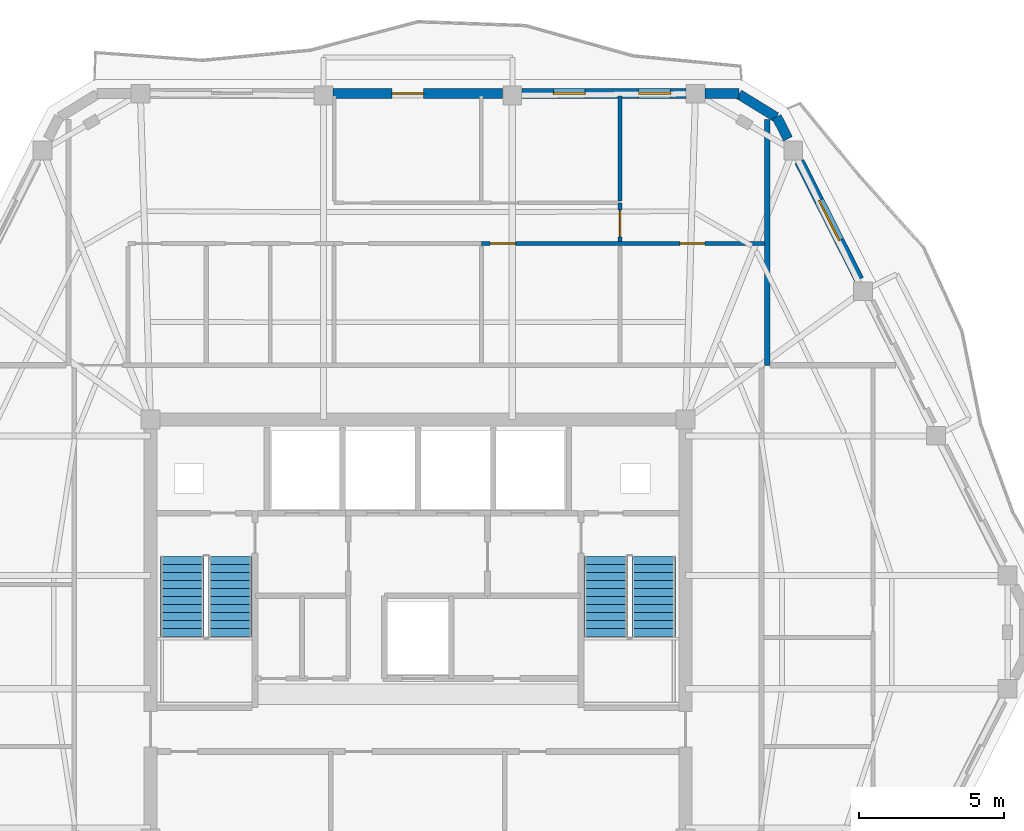
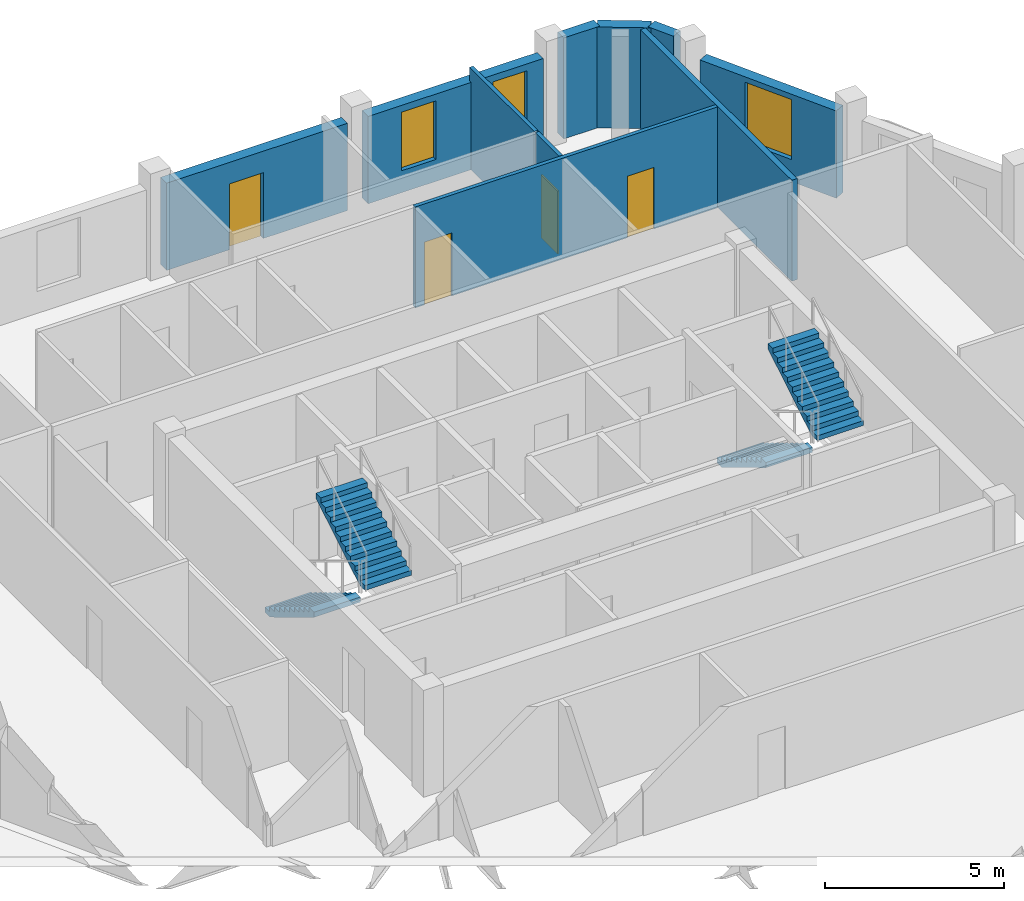
# One storey, part 7 of 10: 10 walls, 4 doors, 4 stair flights, 3 windows, 7 openings, 2 elements without a shape of their own.
"""IFC4 building model written with IfcOpenShell, lengths in metres."""

from ifc_helpers import new_model, si_unit, direction, frame, frame_2d, origin, place, context, subcontext, project, spatial, polyline, rectangle, outline, extrude, material, layer, layer_set, type_object, element, fill, aggregate, save


model = new_model("IFC4")

# Units and contexts
model_context = context("Model", 3, precision=1e-05, world=origin(), true_north=direction((0.0, 1.0)))
body_context = subcontext(model_context, "Body", "Model", "MODEL_VIEW")
ifc_project = project(units=[si_unit("LENGTHUNIT", "METRE"), si_unit("AREAUNIT", "SQUARE_METRE"), si_unit("VOLUMEUNIT", "CUBIC_METRE"), si_unit("PLANEANGLEUNIT", "RADIAN"), si_unit("MASSUNIT", "GRAM", prefix="KILO")], contexts=[model_context])

# Site, building, storey
site_placement = place(None, origin())
site = spatial("IfcSite", under=ifc_project, at=site_placement, CompositionType="ELEMENT")
building_placement = place(site_placement, origin())
building = spatial("IfcBuilding", under=site, at=building_placement, Name="Cinnabar Lancet Tower", CompositionType="ELEMENT")
storey_placement = place(building_placement, frame((0.0, 0.0, 263.5)))
storey = spatial("IfcBuildingStorey", under=building, at=storey_placement, Name="L70", CompositionType="ELEMENT", Elevation=263.5)

# Wall
ifc_material_1 = material(Name="Fire-rated twin-frame acoustic drywall", Category="gypsum")
ifc_layer_1 = layer(ifc_material_1, 0.179931640625)
ifc_layer_set_1 = layer_set([ifc_layer_1], Name="Fire-rated twin-frame acoustic drywall")
wall_type_1 = type_object("IfcWallType", Name="ARC-WL-PARTY-180", PredefinedType="PARTITIONING", material=ifc_layer_set_1)
wall_1_placement = place(storey_placement, frame((44.449951171875, 35.0, 0.0), z_axis=(0.0, 0.0, 1.0), x_axis=(0.0, 1.0, 0.0)))
element("IfcWall", 1, at=wall_1_placement, inside=storey, type_object=wall_type_1, Name="PW-L70-NPTY-444", PredefinedType="PARTITIONING", context=body_context, shape_type="SweptSolid", body=[
    extrude(rectangle(XDim=8.48095703125, YDim=0.179931640625, at=frame_2d((4.240478515625, 0.0))), origin(), (0.0, 0.0, 1.0), 3.449951171875),
])

# Wall, openings, doors
ifc_material_2 = material(Name="Gypsum plasterboard stud partition", Category="gypsum")
ifc_layer_2 = layer(ifc_material_2, 0.125)
ifc_layer_set_2 = layer_set([ifc_layer_2], Name="Gypsum plasterboard stud partition")
wall_type_2 = type_object("IfcWallType", Name="ARC-WL-UNIT-125", PredefinedType="PARTITIONING", material=ifc_layer_set_2)
wall_2_placement = place(storey_placement, frame((34.587890625, 39.200927734375, 0.0), z_axis=(0.0, 0.0, 1.0), x_axis=(1.0, 0.0, 0.0)))
wall_2 = element("IfcWall", 2, at=wall_2_placement, inside=storey, type_object=wall_type_2, Name="UW-L70-N01-SP2", PredefinedType="PARTITIONING", context=body_context, shape_type="SweptSolid", body=[
    extrude(rectangle(XDim=9.76708984375, YDim=0.125, at=frame_2d((4.883544921875, 0.0))), origin(), (0.0, 0.0, 1.0), 3.449951171875),
])
opening_1_placement = place(wall_2_placement, frame((6.84912109375, 0.0, 0.0)))
opening_1 = element("IfcOpeningElement", 3, at=opening_1_placement, cuts=wall_2, Name="Opening BD-01", PredefinedType="OPENING", context=body_context, shape_type="SweptSolid", body=[
    extrude(rectangle(XDim=0.860107421875, YDim=2.10009765625, at=frame_2d((0.43017578125, 1.050048828125))), frame((0.0, 0.072509765625, 0.0), z_axis=(0.0, -1.0, 0.0), x_axis=(1.0, 0.0, 0.0)), (0.0, 0.0, 1.0), 0.14501953125),
])
opening_2_placement = place(wall_2_placement, frame((0.300048828125, 0.0, 0.0)))
opening_2 = element("IfcOpeningElement", 4, at=opening_2_placement, cuts=wall_2, Name="Opening RD-02", PredefinedType="OPENING", context=body_context, shape_type="SweptSolid", body=[
    extrude(rectangle(XDim=0.8798828125, YDim=2.14990234375, at=frame_2d((0.43994140625, 1.074951171875))), frame((0.0, 0.072509765625, 0.0), z_axis=(0.0, -1.0, 0.0), x_axis=(1.0, 0.0, 0.0)), (0.0, 0.0, 1.0), 0.14501953125),
])
ifc_material_3 = material(Name="Moisture-resistant timber bathroom door", Category="wood")
door_type_1 = type_object("IfcDoorType", Name="ARC-DR-BATH", OperationType="NOTDEFINED", PredefinedType="DOOR", material=ifc_material_3)
door_1_placement = place(opening_1_placement, origin())
door_1 = element("IfcDoor", 5, at=door_1_placement, inside=storey, type_object=door_type_1, Name="DR-L70-N01-ENS", OperationType="SINGLE_SWING_LEFT", OverallHeight=2.10009765625, OverallWidth=0.860107421875, PredefinedType="DOOR", context=body_context, shape_type="SweptSolid", body=[
    extrude(rectangle(XDim=0.860107421875, YDim=2.10009765625, at=frame_2d((0.43017578125, 1.050048828125))), frame((0.0, 0.02490234375, 0.0), z_axis=(0.0, -1.0, 0.0), x_axis=(1.0, 0.0, 0.0)), (0.0, 0.0, 1.0), 0.050048828125),
])
fill(opening_1, door_1)
ifc_material_4 = material(Name="Engineered timber study door", Category="wood")
door_type_2 = type_object("IfcDoorType", Name="ARC-DR-STUDY", OperationType="NOTDEFINED", PredefinedType="DOOR", material=ifc_material_4)
door_2_placement = place(opening_2_placement, origin())
door_2 = element("IfcDoor", 6, at=door_2_placement, inside=storey, type_object=door_type_2, Name="DR-L70-N01-DRS", OperationType="SINGLE_SWING_RIGHT", OverallHeight=2.14990234375, OverallWidth=0.8798828125, PredefinedType="DOOR", context=body_context, shape_type="SweptSolid", body=[
    extrude(rectangle(XDim=0.8798828125, YDim=2.14990234375, at=frame_2d((0.43994140625, 1.074951171875))), frame((0.0, 0.02490234375, 0.0), z_axis=(0.0, -1.0, 0.0), x_axis=(1.0, 0.0, 0.0)), (0.0, 0.0, 1.0), 0.050048828125),
])
fill(opening_2, door_2)

# Wall, opening, door
wall_3_placement = place(storey_placement, frame((39.3701171875, 39.27099609375, 0.0), z_axis=(0.0, 0.0, 1.0), x_axis=(0.0, 1.0, 0.0)))
wall_3 = element("IfcWall", 7, at=wall_3_placement, inside=storey, type_object=wall_type_2, Name="UW-L70-N01-MBE", PredefinedType="PARTITIONING", context=body_context, shape_type="SweptSolid", body=[
    extrude(rectangle(XDim=1.330078125, YDim=0.125, at=frame_2d((0.6650390625, 0.0))), origin(), (0.0, 0.0, 1.0), 3.449951171875),
])
opening_3_placement = place(wall_3_placement, frame((0.159912109375, 0.0, 0.0)))
opening_3 = element("IfcOpeningElement", 8, at=opening_3_placement, cuts=wall_3, Name="Opening RD-01", PredefinedType="OPENING", context=body_context, shape_type="SweptSolid", body=[
    extrude(rectangle(XDim=0.919921875, YDim=2.14990234375, at=frame_2d((0.4599609375, 1.074951171875))), frame((0.0, 0.072509765625, 0.0), z_axis=(0.0, -1.0, 0.0), x_axis=(1.0, 0.0, 0.0)), (0.0, 0.0, 1.0), 0.14501953125),
])
ifc_material_5 = material(Name="Engineered timber bedroom door", Category="wood")
door_type_3 = type_object("IfcDoorType", Name="ARC-DR-ROOM", OperationType="NOTDEFINED", PredefinedType="DOOR", material=ifc_material_5)
door_3_placement = place(opening_3_placement, origin())
door_3 = element("IfcDoor", 9, at=door_3_placement, inside=storey, type_object=door_type_3, Name="DR-L70-N01-MBD", OperationType="SINGLE_SWING_LEFT", OverallHeight=2.14990234375, OverallWidth=0.919921875, PredefinedType="DOOR", context=body_context, shape_type="SweptSolid", body=[
    extrude(rectangle(XDim=0.919921875, YDim=2.14990234375, at=frame_2d((0.4599609375, 1.074951171875))), frame((0.0, 0.02490234375, 0.0), z_axis=(0.0, -1.0, 0.0), x_axis=(1.0, 0.0, 0.0)), (0.0, 0.0, 1.0), 0.050048828125),
])
fill(opening_3, door_3)

# Walls
wall_4_placement = place(storey_placement, frame((39.3701171875, 40.666015625, 0.0), z_axis=(0.0, 0.0, 1.0), x_axis=(0.0, 1.0, 0.0)))
element("IfcWall", 10, at=wall_4_placement, inside=storey, type_object=wall_type_2, Name="UW-L70-N01-B23W", PredefinedType="PARTITIONING", context=body_context, shape_type="SweptSolid", body=[
    extrude(rectangle(XDim=3.618896484375, YDim=0.125, at=frame_2d((1.8095703125, 0.0))), origin(), (0.0, 0.0, 1.0), 3.449951171875),
])
ifc_material_6 = material(Name="Cinnabar red clay brick", Category="masonry")
ifc_layer_3 = layer(ifc_material_6, 0.340087890625)
ifc_layer_set_3 = layer_set([ifc_layer_3], Name="Cinnabar red clay brick")
wall_type_3 = type_object("IfcWallType", Name="ENV-WL-BRK-RED-340", PredefinedType="STANDARD", material=ifc_layer_set_3)
wall_5_placement = place(storey_placement, frame((44.7529296875, 43.554931640625, 0.0), z_axis=(0.0, 0.0, 1.0), x_axis=(-0.851680557619, 0.52406128246, 0.0)))
element("IfcWall", 11, at=wall_5_placement, inside=storey, type_object=wall_type_3, Name="L70 Chamfered Corner Brick Pier 4.1", PredefinedType="STANDARD", context=body_context, shape_type="SweptSolid", body=[
    extrude(rectangle(XDim=1.507568359375, YDim=0.340087890625, at=frame_2d((0.75390625, 0.0))), origin(), (0.0, 0.0, 1.0), 3.449951171875),
])

# Wall, opening, window
wall_6_placement = place(storey_placement, frame((47.612060546875, 37.9599609375, 0.0), z_axis=(0.0, 0.0, 1.0), x_axis=(-0.45154039276, 0.892250678737, 0.0)))
wall_6 = element("IfcWall", 12, at=wall_6_placement, inside=storey, type_object=wall_type_3, Name="L70 Face 3 Masonry Bay Wall 4", PredefinedType="STANDARD", context=body_context, shape_type="SweptSolid", body=[
    extrude(rectangle(XDim=4.5537109375, YDim=0.340087890625, at=frame_2d((2.27685546875, 0.0))), origin(), (0.0, 0.0, 1.0), 2.98291015625),
])
opening_4_placement = place(wall_6_placement, frame((1.501953125, 0.0, 0.75)))
opening_4 = element("IfcOpeningElement", 13, at=opening_4_placement, cuts=wall_6, Name="Opening WN-01", PredefinedType="OPENING", context=body_context, shape_type="SweptSolid", body=[
    extrude(rectangle(XDim=1.550048828125, YDim=2.050048828125, at=frame_2d((0.77490234375, 1.02490234375))), frame((0.0, 0.179931640625, 0.0), z_axis=(0.0, -1.0, 0.0), x_axis=(1.0, 0.0, 0.0)), (0.0, 0.0, 1.0), 0.360107421875),
])
ifc_material_7 = material(Name="Thermally broken bronze-anodized aluminium low-E double glazing", Category="aluminium")
window_type_1 = type_object("IfcWindowType", Name="ENV-WN-LANCET-1550", PartitioningType="SINGLE_PANEL", PredefinedType="WINDOW", material=ifc_material_7)
window_1_placement = place(opening_4_placement, origin())
window_1 = element("IfcWindow", 14, at=window_1_placement, inside=storey, type_object=window_type_1, Name="L70 Face 3 Gothic Lancet Window 4", OverallHeight=2.050048828125, OverallWidth=1.550048828125, PartitioningType="SINGLE_PANEL", PredefinedType="WINDOW", context=body_context, shape_type="SweptSolid", body=[
    extrude(rectangle(XDim=1.550048828125, YDim=2.050048828125, at=frame_2d((0.77490234375, 1.02490234375))), frame((0.0, 0.030029296875, 0.0), z_axis=(0.0, -1.0, 0.0), x_axis=(1.0, 0.0, 0.0)), (0.0, 0.0, 1.0), 0.06005859375),
])
fill(opening_4, window_1)

# Walls
wall_7_placement = place(storey_placement, frame((45.157958984375, 42.81103515625, 0.0), z_axis=(0.0, 0.0, 1.0), x_axis=(-0.451907025977, 0.8920650424, 0.0)))
element("IfcWall", 15, at=wall_7_placement, inside=storey, type_object=wall_type_3, Name="L70 Face 3 Masonry Bay Wall 5", PredefinedType="STANDARD", context=body_context, shape_type="SweptSolid", body=[
    extrude(rectangle(XDim=0.85205078125, YDim=0.340087890625, at=frame_2d((0.426025390625, 0.0))), origin(), (0.0, 0.0, 1.0), 3.449951171875),
])
wall_8_placement = place(storey_placement, frame((43.47412109375, 44.3701171875, 0.0), z_axis=(0.0, 0.0, 1.0), x_axis=(-1.0, 0.0, 0.0)))
element("IfcWall", 16, at=wall_8_placement, inside=storey, type_object=wall_type_3, Name="L70 Face 4 Masonry Bay Wall 1", PredefinedType="STANDARD", context=body_context, shape_type="SweptSolid", body=[
    extrude(rectangle(XDim=1.173095703125, YDim=0.340087890625, at=frame_2d((0.58642578125, 0.0))), origin(), (0.0, 0.0, 1.0), 3.449951171875),
])

# Wall, openings, windows
wall_9_placement = place(storey_placement, frame((41.64306640625, 44.3701171875, 0.0), z_axis=(0.0, 0.0, 1.0), x_axis=(-1.0, 0.0, 0.0)))
wall_9 = element("IfcWall", 17, at=wall_9_placement, inside=storey, type_object=wall_type_3, Name="L70 Face 4 Masonry Bay Wall 2", PredefinedType="STANDARD", context=body_context, shape_type="SweptSolid", body=[
    extrude(rectangle(XDim=5.66015625, YDim=0.340087890625, at=frame_2d((2.830078125, 0.0))), origin(), (0.0, 0.0, 1.0), 2.98291015625),
])
opening_5_placement = place(wall_9_placement, frame((0.530029296875, 0.0, 0.75)))
opening_5 = element("IfcOpeningElement", 18, at=opening_5_placement, cuts=wall_9, Name="Opening WN-04", PredefinedType="OPENING", context=body_context, shape_type="SweptSolid", body=[
    extrude(rectangle(XDim=1.10009765625, YDim=2.0, at=frame_2d((0.550048828125, 1.0))), frame((0.0, 0.179931640625, 0.0), z_axis=(0.0, -1.0, 0.0), x_axis=(1.0, 0.0, 0.0)), (0.0, 0.0, 1.0), 0.360107421875),
])
opening_6_placement = place(wall_9_placement, frame((3.472900390625, 0.0, 0.75)))
opening_6 = element("IfcOpeningElement", 19, at=opening_6_placement, cuts=wall_9, Name="Opening WN-04", PredefinedType="OPENING", context=body_context, shape_type="SweptSolid", body=[
    extrude(rectangle(XDim=1.10009765625, YDim=2.0, at=frame_2d((0.550048828125, 1.0))), frame((0.0, 0.179931640625, 0.0), z_axis=(0.0, -1.0, 0.0), x_axis=(1.0, 0.0, 0.0)), (0.0, 0.0, 1.0), 0.360107421875),
])
ifc_material_8 = material(Name="Thermally broken bronze-anodized aluminium tall lancet window", Category="aluminium")
window_type_2 = type_object("IfcWindowType", Name="ENV-WN-LANCET-1100", PartitioningType="SINGLE_PANEL", PredefinedType="WINDOW", material=ifc_material_8)
window_2_placement = place(opening_5_placement, origin())
window_2 = element("IfcWindow", 20, at=window_2_placement, inside=storey, type_object=window_type_2, Name="L70 Face 4 Gothic Lancet Window 2", OverallHeight=2.0, OverallWidth=1.10009765625, PartitioningType="SINGLE_PANEL", PredefinedType="WINDOW", context=body_context, shape_type="SweptSolid", body=[
    extrude(rectangle(XDim=1.10009765625, YDim=2.0, at=frame_2d((0.550048828125, 1.0))), frame((0.0, 0.030029296875, 0.0), z_axis=(0.0, -1.0, 0.0), x_axis=(1.0, 0.0, 0.0)), (0.0, 0.0, 1.0), 0.06005859375),
])
fill(opening_5, window_2)
window_3_placement = place(opening_6_placement, origin())
window_3 = element("IfcWindow", 21, at=window_3_placement, inside=storey, type_object=window_type_2, Name="L70 Split-Bay Gothic Lancet Window 260", OverallHeight=2.0, OverallWidth=1.10009765625, PartitioningType="SINGLE_PANEL", PredefinedType="WINDOW", context=body_context, shape_type="SweptSolid", body=[
    extrude(rectangle(XDim=1.10009765625, YDim=2.0, at=frame_2d((0.550048828125, 1.0))), frame((0.0, 0.030029296875, 0.0), z_axis=(0.0, -1.0, 0.0), x_axis=(1.0, 0.0, 0.0)), (0.0, 0.0, 1.0), 0.06005859375),
])
fill(opening_6, window_3)

# Wall, opening, door
wall_10_placement = place(storey_placement, frame((35.324951171875, 44.3701171875, 0.0), z_axis=(0.0, 0.0, 1.0), x_axis=(-1.0, 0.0, 0.0)))
wall_10 = element("IfcWall", 22, at=wall_10_placement, inside=storey, type_object=wall_type_3, Name="L70 Face 4 Masonry Bay Wall 3", PredefinedType="STANDARD", context=body_context, shape_type="SweptSolid", body=[
    extrude(rectangle(XDim=5.849853515625, YDim=0.340087890625, at=frame_2d((2.9248046875, 0.0))), origin(), (0.0, 0.0, 1.0), 2.98291015625),
])
opening_7_placement = place(wall_10_placement, frame((2.72705078125, 0.0, 0.0)))
opening_7 = element("IfcOpeningElement", 23, at=opening_7_placement, cuts=wall_10, Name="Opening TD-01", PredefinedType="OPENING", context=body_context, shape_type="SweptSolid", body=[
    extrude(rectangle(XDim=1.10009765625, YDim=2.25, at=frame_2d((0.550048828125, 1.125))), frame((0.0, 0.179931640625, 0.0), z_axis=(0.0, -1.0, 0.0), x_axis=(1.0, 0.0, 0.0)), (0.0, 0.0, 1.0), 0.360107421875),
])
ifc_material_9 = material(Name="Thermally broken low-E glazed balcony terrace door", Category="wood")
door_type_4 = type_object("IfcDoorType", Name="ARC-DR-BALC", OperationType="NOTDEFINED", PredefinedType="DOOR", material=ifc_material_9)
door_4_placement = place(opening_7_placement, origin())
door_4 = element("IfcDoor", 24, at=door_4_placement, inside=storey, type_object=door_type_4, Name="L70 Face 4 Glazed Terrace Door", OperationType="SINGLE_SWING_LEFT", OverallHeight=2.25, OverallWidth=1.10009765625, PredefinedType="DOOR", context=body_context, shape_type="SweptSolid", body=[
    extrude(rectangle(XDim=1.10009765625, YDim=2.25, at=frame_2d((0.550048828125, 1.125))), frame((0.0, 0.02490234375, 0.0), z_axis=(0.0, -1.0, 0.0), x_axis=(1.0, 0.0, 0.0)), (0.0, 0.0, 1.0), 0.050048828125),
])
fill(opening_7, door_4)

# Stair, stair flights
ifc_material_10 = material(Name="Concrete C40/50", Category="concrete")
stair_type = type_object("IfcStairType", Name="ST-CORE", PredefinedType="HALF_TURN_STAIR", material=ifc_material_10)
stair_1_placement = place(storey_placement, origin())
stair_1 = element("IfcStair", 25, at=stair_1_placement, inside=storey, type_object=stair_type, Name="L70 ST-1", PredefinedType="HALF_TURN_STAIR")
ifc_material_11 = material(Name="Concrete C40/50", Category="concrete")
stair_flight_type = type_object("IfcStairFlightType", Name="FLIGHT-CORE", PredefinedType="STRAIGHT", material=ifc_material_11)
stair_flight_1_placement = place(storey_placement, frame((24.27490234375, 28.39990234375, 0.0), z_axis=(0.0, 0.0, 1.0), x_axis=(0.0, -1.0, 0.0)))
stair_flight_1 = element("IfcStairFlight", 26, at=stair_flight_1_placement, type_object=stair_flight_type, Name="ST-1 flight 1", NumberOfRisers=11, NumberOfTreads=10, PredefinedType="STRAIGHT", RiserHeight=0.165909091, TreadLength=0.275, context=body_context, shape_type="SweptSolid", body=[
    extrude(outline(polyline([(0.0, 0.0), (0.0, 0.166015625), (0.27490234375, 0.166015625), (0.27490234375, 0.331787109375), (0.550048828125, 0.331787109375), (0.550048828125, 0.497802734375), (0.824951171875, 0.497802734375), (0.824951171875, 0.66357421875), (1.10009765625, 0.66357421875), (1.10009765625, 0.82958984375), (1.375, 0.82958984375), (1.375, 0.995361328125), (1.64990234375, 0.995361328125), (1.64990234375, 1.161376953125), (1.925048828125, 1.161376953125), (1.925048828125, 1.327392578125), (2.199951171875, 1.327392578125), (2.199951171875, 1.4931640625), (2.47509765625, 1.4931640625), (2.47509765625, 1.6591796875), (2.75, 1.6591796875), (2.75, 1.824951171875), (2.75, 1.484130859375), (0.290283203125, 0.0), (0.0, 0.0)])), frame((0.0, 0.75, 0.0), z_axis=(0.0, -1.0, 0.0), x_axis=(1.0, 0.0, 0.0)), (0.0, 0.0, 1.0), 1.5),
])
stair_flight_2_placement = place(storey_placement, frame((25.925048828125, 25.64990234375, 1.824951171875), z_axis=(0.0, 0.0, 1.0), x_axis=(0.0, 1.0, 0.0)))
stair_flight_2 = element("IfcStairFlight", 27, at=stair_flight_2_placement, type_object=stair_flight_type, Name="ST-1 flight 2", NumberOfRisers=11, NumberOfTreads=10, PredefinedType="STRAIGHT", RiserHeight=0.165909091, TreadLength=0.275, context=body_context, shape_type="SweptSolid", body=[
    extrude(outline(polyline([(0.0, 0.0), (0.0, 0.166015625), (0.27490234375, 0.166015625), (0.27490234375, 0.331787109375), (0.550048828125, 0.331787109375), (0.550048828125, 0.497802734375), (0.824951171875, 0.497802734375), (0.824951171875, 0.66357421875), (1.10009765625, 0.66357421875), (1.10009765625, 0.82958984375), (1.375, 0.82958984375), (1.375, 0.995361328125), (1.64990234375, 0.995361328125), (1.64990234375, 1.161376953125), (1.925048828125, 1.161376953125), (1.925048828125, 1.327392578125), (2.199951171875, 1.327392578125), (2.199951171875, 1.4931640625), (2.47509765625, 1.4931640625), (2.47509765625, 1.6591796875), (2.75, 1.6591796875), (2.75, 1.824951171875), (2.75, 1.484130859375), (0.290283203125, 0.0), (0.0, 0.0)])), frame((0.0, 0.75, 0.0), z_axis=(0.0, -1.0, 0.0), x_axis=(1.0, 0.0, 0.0)), (0.0, 0.0, 1.0), 1.5),
])
aggregate(stair_1, [stair_flight_1, stair_flight_2])

stair_2_placement = place(storey_placement, origin())
stair_2 = element("IfcStair", 28, at=stair_2_placement, inside=storey, type_object=stair_type, Name="L70 ST-2", PredefinedType="HALF_TURN_STAIR")
stair_flight_3_placement = place(storey_placement, frame((38.875, 28.39990234375, 0.0), z_axis=(0.0, 0.0, 1.0), x_axis=(0.0, -1.0, 0.0)))
stair_flight_3 = element("IfcStairFlight", 29, at=stair_flight_3_placement, type_object=stair_flight_type, Name="ST-2 flight 1", NumberOfRisers=11, NumberOfTreads=10, PredefinedType="STRAIGHT", RiserHeight=0.165909091, TreadLength=0.275, context=body_context, shape_type="SweptSolid", body=[
    extrude(outline(polyline([(0.0, 0.0), (0.0, 0.166015625), (0.27490234375, 0.166015625), (0.27490234375, 0.331787109375), (0.550048828125, 0.331787109375), (0.550048828125, 0.497802734375), (0.824951171875, 0.497802734375), (0.824951171875, 0.66357421875), (1.10009765625, 0.66357421875), (1.10009765625, 0.82958984375), (1.375, 0.82958984375), (1.375, 0.995361328125), (1.64990234375, 0.995361328125), (1.64990234375, 1.161376953125), (1.925048828125, 1.161376953125), (1.925048828125, 1.327392578125), (2.199951171875, 1.327392578125), (2.199951171875, 1.4931640625), (2.47509765625, 1.4931640625), (2.47509765625, 1.6591796875), (2.75, 1.6591796875), (2.75, 1.824951171875), (2.75, 1.484130859375), (0.290283203125, 0.0), (0.0, 0.0)])), frame((0.0, 0.75, 0.0), z_axis=(0.0, -1.0, 0.0), x_axis=(1.0, 0.0, 0.0)), (0.0, 0.0, 1.0), 1.5),
])
stair_flight_4_placement = place(storey_placement, frame((40.52490234375, 25.64990234375, 1.824951171875), z_axis=(0.0, 0.0, 1.0), x_axis=(0.0, 1.0, 0.0)))
stair_flight_4 = element("IfcStairFlight", 30, at=stair_flight_4_placement, type_object=stair_flight_type, Name="ST-2 flight 2", NumberOfRisers=11, NumberOfTreads=10, PredefinedType="STRAIGHT", RiserHeight=0.165909091, TreadLength=0.275, context=body_context, shape_type="SweptSolid", body=[
    extrude(outline(polyline([(0.0, 0.0), (0.0, 0.166015625), (0.27490234375, 0.166015625), (0.27490234375, 0.331787109375), (0.550048828125, 0.331787109375), (0.550048828125, 0.497802734375), (0.824951171875, 0.497802734375), (0.824951171875, 0.66357421875), (1.10009765625, 0.66357421875), (1.10009765625, 0.82958984375), (1.375, 0.82958984375), (1.375, 0.995361328125), (1.64990234375, 0.995361328125), (1.64990234375, 1.161376953125), (1.925048828125, 1.161376953125), (1.925048828125, 1.327392578125), (2.199951171875, 1.327392578125), (2.199951171875, 1.4931640625), (2.47509765625, 1.4931640625), (2.47509765625, 1.6591796875), (2.75, 1.6591796875), (2.75, 1.824951171875), (2.75, 1.484130859375), (0.290283203125, 0.0), (0.0, 0.0)])), frame((0.0, 0.75, 0.0), z_axis=(0.0, -1.0, 0.0), x_axis=(1.0, 0.0, 0.0)), (0.0, 0.0, 1.0), 1.5),
])
aggregate(stair_2, [stair_flight_3, stair_flight_4])

save(model, "model.ifc")
